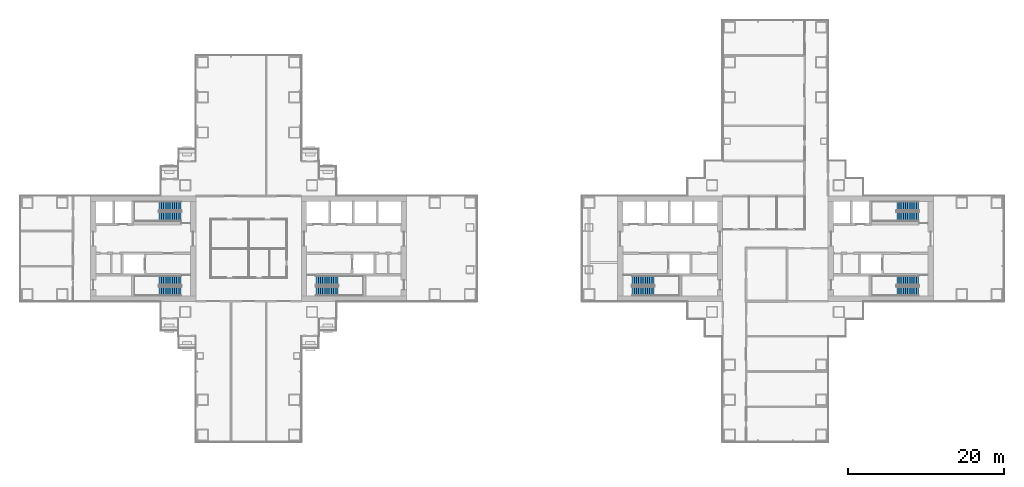
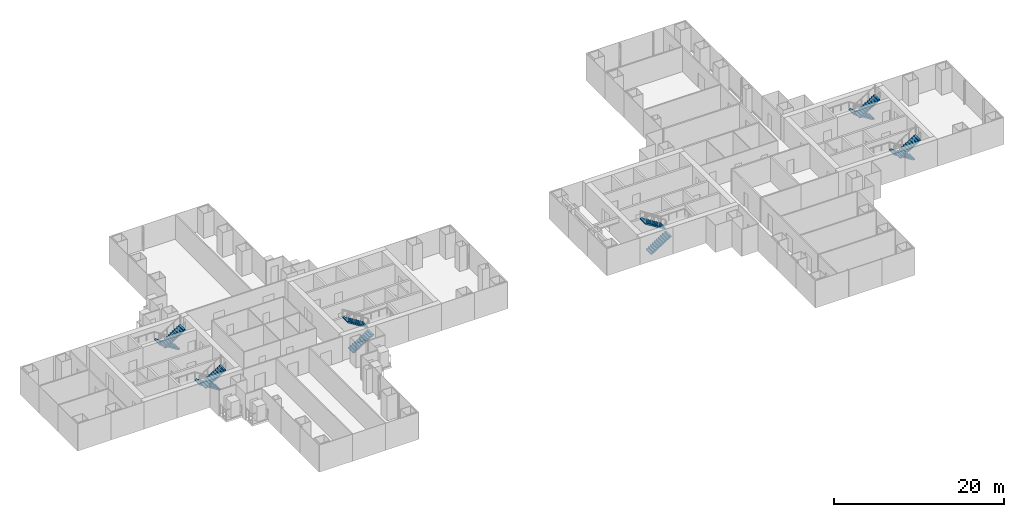
# One storey, part 18 of 21: 12 stair flights, 6 elements without a shape of their own.
"""IFC4 building model written with IfcOpenShell, lengths in metres."""

from ifc_helpers import new_model, si_unit, direction, frame, origin, place, context, subcontext, project, spatial, polyline, outline, extrude, material, type_object, element, aggregate, save


model = new_model("IFC4")

# Units and contexts
model_context = context("Model", 3, precision=1e-05, world=origin(), true_north=direction((0.0, 1.0)))
body_context = subcontext(model_context, "Body", "Model", "MODEL_VIEW")
ifc_project = project(units=[si_unit("LENGTHUNIT", "METRE"), si_unit("AREAUNIT", "SQUARE_METRE"), si_unit("VOLUMEUNIT", "CUBIC_METRE"), si_unit("PLANEANGLEUNIT", "RADIAN"), si_unit("MASSUNIT", "GRAM", prefix="KILO")], contexts=[model_context])

# Site, building, storey
site_placement = place(None, origin())
site = spatial("IfcSite", under=ifc_project, at=site_placement, CompositionType="ELEMENT")
building_placement = place(site_placement, origin())
building = spatial("IfcBuilding", under=site, at=building_placement, Name="Shamsa Quay Exchange Towers", CompositionType="ELEMENT")
storey_placement = place(building_placement, frame((0.0, 0.0, 45.89990234375)))
storey = spatial("IfcBuildingStorey", under=building, at=storey_placement, Name="L09", CompositionType="ELEMENT", Elevation=45.89990234375)

# Stair, stair flights
ifc_material = material(Name="Concrete C40/50", Category="concrete")
stair_type = type_object("IfcStairType", Name="EXIT STAIR 22 RISERS 177 MM", PredefinedType="HALF_TURN_STAIR", material=ifc_material)
stair_1_placement = place(storey_placement, origin())
stair_1 = element("IfcStair", 1, at=stair_1_placement, inside=storey, type_object=stair_type, Name="L09 Exit stair ST1", PredefinedType="HALF_TURN_STAIR")
stair_flight_type = type_object("IfcStairFlightType", Name="EXIT STAIR FLIGHT 11 RISERS 177 MM", PredefinedType="STRAIGHT", material=ifc_material)
stair_flight_1_placement = place(storey_placement, frame((-25.10009765625, -5.449951171875, 0.0)))
stair_flight_1 = element("IfcStairFlight", 2, at=stair_flight_1_placement, type_object=stair_flight_type, Name="ST1 flight 1", NumberOfRisers=11, NumberOfTreads=10, PredefinedType="STRAIGHT", RiserHeight=0.177272727, TreadLength=0.28, context=body_context, shape_type="SweptSolid", body=[
    extrude(outline(polyline([(0.0, 0.0), (0.0, 0.17724609375), (0.280029296875, 0.17724609375), (0.280029296875, 0.3544921875), (0.56005859375, 0.3544921875), (0.56005859375, 0.53173828125), (0.840087890625, 0.53173828125), (0.840087890625, 0.708984375), (1.1201171875, 0.708984375), (1.1201171875, 0.886474609375), (1.39990234375, 0.886474609375), (1.39990234375, 1.063720703125), (1.679931640625, 1.063720703125), (1.679931640625, 1.240966796875), (1.9599609375, 1.240966796875), (1.9599609375, 1.418212890625), (2.239990234375, 1.418212890625), (2.239990234375, 1.595458984375), (2.52001953125, 1.595458984375), (2.52001953125, 1.772705078125), (2.800048828125, 1.772705078125), (2.800048828125, 1.949951171875), (2.800048828125, 1.607177734375), (0.261474609375, 0.0), (0.0, 0.0)])), frame((0.0, 0.60009765625, 0.0), z_axis=(0.0, -1.0, 0.0), x_axis=(1.0, 0.0, 0.0)), (0.0, 0.0, 1.0), 1.199951171875),
])
stair_flight_2_placement = place(storey_placement, frame((-22.300048828125, -4.10009765625, 1.9501953125), z_axis=(0.0, 0.0, 1.0), x_axis=(-1.0, 0.0, 0.0)))
stair_flight_2 = element("IfcStairFlight", 3, at=stair_flight_2_placement, type_object=stair_flight_type, Name="ST1 flight 2", NumberOfRisers=11, NumberOfTreads=10, PredefinedType="STRAIGHT", RiserHeight=0.177272727, TreadLength=0.28, context=body_context, shape_type="SweptSolid", body=[
    extrude(outline(polyline([(0.0, 0.0), (0.0, 0.17724609375), (0.280029296875, 0.17724609375), (0.280029296875, 0.3544921875), (0.56005859375, 0.3544921875), (0.56005859375, 0.53173828125), (0.840087890625, 0.53173828125), (0.840087890625, 0.708984375), (1.1201171875, 0.708984375), (1.1201171875, 0.886474609375), (1.39990234375, 0.886474609375), (1.39990234375, 1.063720703125), (1.679931640625, 1.063720703125), (1.679931640625, 1.240966796875), (1.9599609375, 1.240966796875), (1.9599609375, 1.418212890625), (2.239990234375, 1.418212890625), (2.239990234375, 1.595458984375), (2.52001953125, 1.595458984375), (2.52001953125, 1.772705078125), (2.800048828125, 1.772705078125), (2.800048828125, 1.949951171875), (2.800048828125, 1.607177734375), (0.261474609375, 0.0), (0.0, 0.0)])), frame((0.0, 0.60009765625, 0.0), z_axis=(0.0, -1.0, 0.0), x_axis=(1.0, 0.0, 0.0)), (0.0, 0.0, 1.0), 1.199951171875),
])
aggregate(stair_1, [stair_flight_1, stair_flight_2])

stair_2_placement = place(storey_placement, origin())
stair_2 = element("IfcStair", 4, at=stair_2_placement, inside=storey, type_object=stair_type, Name="L09 Exit stair ST2", PredefinedType="HALF_TURN_STAIR")
stair_flight_3_placement = place(storey_placement, frame((-42.39990234375, -4.10009765625, 0.0), z_axis=(0.0, 0.0, 1.0), x_axis=(-1.0, 0.0, 0.0)))
stair_flight_3 = element("IfcStairFlight", 5, at=stair_flight_3_placement, type_object=stair_flight_type, Name="ST2 flight 1", NumberOfRisers=11, NumberOfTreads=10, PredefinedType="STRAIGHT", RiserHeight=0.177272727, TreadLength=0.28, context=body_context, shape_type="SweptSolid", body=[
    extrude(outline(polyline([(0.0, 0.0), (0.0, 0.17724609375), (0.280029296875, 0.17724609375), (0.280029296875, 0.3544921875), (0.56005859375, 0.3544921875), (0.56005859375, 0.53173828125), (0.840087890625, 0.53173828125), (0.840087890625, 0.708984375), (1.1201171875, 0.708984375), (1.1201171875, 0.886474609375), (1.39990234375, 0.886474609375), (1.39990234375, 1.063720703125), (1.679931640625, 1.063720703125), (1.679931640625, 1.240966796875), (1.9599609375, 1.240966796875), (1.9599609375, 1.418212890625), (2.239990234375, 1.418212890625), (2.239990234375, 1.595458984375), (2.52001953125, 1.595458984375), (2.52001953125, 1.772705078125), (2.800048828125, 1.772705078125), (2.800048828125, 1.949951171875), (2.800048828125, 1.607177734375), (0.261474609375, 0.0), (0.0, 0.0)])), frame((0.0, 0.60009765625, 0.0), z_axis=(0.0, -1.0, 0.0), x_axis=(1.0, 0.0, 0.0)), (0.0, 0.0, 1.0), 1.199951171875),
])
stair_flight_4_placement = place(storey_placement, frame((-45.199951171875, -5.449951171875, 1.9501953125)))
stair_flight_4 = element("IfcStairFlight", 6, at=stair_flight_4_placement, type_object=stair_flight_type, Name="ST2 flight 2", NumberOfRisers=11, NumberOfTreads=10, PredefinedType="STRAIGHT", RiserHeight=0.177272727, TreadLength=0.28, context=body_context, shape_type="SweptSolid", body=[
    extrude(outline(polyline([(0.0, 0.0), (0.0, 0.17724609375), (0.280029296875, 0.17724609375), (0.280029296875, 0.3544921875), (0.56005859375, 0.3544921875), (0.56005859375, 0.53173828125), (0.840087890625, 0.53173828125), (0.840087890625, 0.708984375), (1.1201171875, 0.708984375), (1.1201171875, 0.886474609375), (1.39990234375, 0.886474609375), (1.39990234375, 1.063720703125), (1.679931640625, 1.063720703125), (1.679931640625, 1.240966796875), (1.9599609375, 1.240966796875), (1.9599609375, 1.418212890625), (2.239990234375, 1.418212890625), (2.239990234375, 1.595458984375), (2.52001953125, 1.595458984375), (2.52001953125, 1.772705078125), (2.800048828125, 1.772705078125), (2.800048828125, 1.949951171875), (2.800048828125, 1.607177734375), (0.261474609375, 0.0), (0.0, 0.0)])), frame((0.0, 0.60009765625, 0.0), z_axis=(0.0, -1.0, 0.0), x_axis=(1.0, 0.0, 0.0)), (0.0, 0.0, 1.0), 1.199951171875),
])
aggregate(stair_2, [stair_flight_3, stair_flight_4])

stair_3_placement = place(storey_placement, origin())
stair_3 = element("IfcStair", 7, at=stair_3_placement, inside=storey, type_object=stair_type, Name="L09 Exit stair ST3", PredefinedType="HALF_TURN_STAIR")
stair_flight_5_placement = place(storey_placement, frame((-42.39990234375, 5.449951171875, 0.0), z_axis=(0.0, 0.0, 1.0), x_axis=(-1.0, 0.0, 0.0)))
stair_flight_5 = element("IfcStairFlight", 8, at=stair_flight_5_placement, type_object=stair_flight_type, Name="ST3 flight 1", NumberOfRisers=11, NumberOfTreads=10, PredefinedType="STRAIGHT", RiserHeight=0.177272727, TreadLength=0.28, context=body_context, shape_type="SweptSolid", body=[
    extrude(outline(polyline([(0.0, 0.0), (0.0, 0.17724609375), (0.280029296875, 0.17724609375), (0.280029296875, 0.3544921875), (0.56005859375, 0.3544921875), (0.56005859375, 0.53173828125), (0.840087890625, 0.53173828125), (0.840087890625, 0.708984375), (1.1201171875, 0.708984375), (1.1201171875, 0.886474609375), (1.39990234375, 0.886474609375), (1.39990234375, 1.063720703125), (1.679931640625, 1.063720703125), (1.679931640625, 1.240966796875), (1.9599609375, 1.240966796875), (1.9599609375, 1.418212890625), (2.239990234375, 1.418212890625), (2.239990234375, 1.595458984375), (2.52001953125, 1.595458984375), (2.52001953125, 1.772705078125), (2.800048828125, 1.772705078125), (2.800048828125, 1.949951171875), (2.800048828125, 1.607177734375), (0.261474609375, 0.0), (0.0, 0.0)])), frame((0.0, 0.60009765625, 0.0), z_axis=(0.0, -1.0, 0.0), x_axis=(1.0, 0.0, 0.0)), (0.0, 0.0, 1.0), 1.199951171875),
])
stair_flight_6_placement = place(storey_placement, frame((-45.199951171875, 4.10009765625, 1.9501953125)))
stair_flight_6 = element("IfcStairFlight", 9, at=stair_flight_6_placement, type_object=stair_flight_type, Name="ST3 flight 2", NumberOfRisers=11, NumberOfTreads=10, PredefinedType="STRAIGHT", RiserHeight=0.177272727, TreadLength=0.28, context=body_context, shape_type="SweptSolid", body=[
    extrude(outline(polyline([(0.0, 0.0), (0.0, 0.17724609375), (0.280029296875, 0.17724609375), (0.280029296875, 0.3544921875), (0.56005859375, 0.3544921875), (0.56005859375, 0.53173828125), (0.840087890625, 0.53173828125), (0.840087890625, 0.708984375), (1.1201171875, 0.708984375), (1.1201171875, 0.886474609375), (1.39990234375, 0.886474609375), (1.39990234375, 1.063720703125), (1.679931640625, 1.063720703125), (1.679931640625, 1.240966796875), (1.9599609375, 1.240966796875), (1.9599609375, 1.418212890625), (2.239990234375, 1.418212890625), (2.239990234375, 1.595458984375), (2.52001953125, 1.595458984375), (2.52001953125, 1.772705078125), (2.800048828125, 1.772705078125), (2.800048828125, 1.949951171875), (2.800048828125, 1.607177734375), (0.261474609375, 0.0), (0.0, 0.0)])), frame((0.0, 0.60009765625, 0.0), z_axis=(0.0, -1.0, 0.0), x_axis=(1.0, 0.0, 0.0)), (0.0, 0.0, 1.0), 1.199951171875),
])
aggregate(stair_3, [stair_flight_5, stair_flight_6])

stair_4_placement = place(storey_placement, origin())
stair_4 = element("IfcStair", 10, at=stair_4_placement, inside=storey, type_object=stair_type, Name="L09 Exit stair ST4", PredefinedType="HALF_TURN_STAIR")
stair_flight_7_placement = place(storey_placement, frame((15.39990234375, -5.449951171875, 0.0)))
stair_flight_7 = element("IfcStairFlight", 11, at=stair_flight_7_placement, type_object=stair_flight_type, Name="ST4 flight 1", NumberOfRisers=11, NumberOfTreads=10, PredefinedType="STRAIGHT", RiserHeight=0.177272727, TreadLength=0.28, context=body_context, shape_type="SweptSolid", body=[
    extrude(outline(polyline([(0.0, 0.0), (0.0, 0.17724609375), (0.280029296875, 0.17724609375), (0.280029296875, 0.3544921875), (0.56005859375, 0.3544921875), (0.56005859375, 0.53173828125), (0.840087890625, 0.53173828125), (0.840087890625, 0.708984375), (1.1201171875, 0.708984375), (1.1201171875, 0.886474609375), (1.39990234375, 0.886474609375), (1.39990234375, 1.063720703125), (1.679931640625, 1.063720703125), (1.679931640625, 1.240966796875), (1.9599609375, 1.240966796875), (1.9599609375, 1.418212890625), (2.239990234375, 1.418212890625), (2.239990234375, 1.595458984375), (2.52001953125, 1.595458984375), (2.52001953125, 1.772705078125), (2.800048828125, 1.772705078125), (2.800048828125, 1.949951171875), (2.800048828125, 1.607177734375), (0.261474609375, 0.0), (0.0, 0.0)])), frame((0.0, 0.60009765625, 0.0), z_axis=(0.0, -1.0, 0.0), x_axis=(1.0, 0.0, 0.0)), (0.0, 0.0, 1.0), 1.199951171875),
])
stair_flight_8_placement = place(storey_placement, frame((18.199951171875, -4.10009765625, 1.9501953125), z_axis=(0.0, 0.0, 1.0), x_axis=(-1.0, 0.0, 0.0)))
stair_flight_8 = element("IfcStairFlight", 12, at=stair_flight_8_placement, type_object=stair_flight_type, Name="ST4 flight 2", NumberOfRisers=11, NumberOfTreads=10, PredefinedType="STRAIGHT", RiserHeight=0.177272727, TreadLength=0.28, context=body_context, shape_type="SweptSolid", body=[
    extrude(outline(polyline([(0.0, 0.0), (0.0, 0.17724609375), (0.280029296875, 0.17724609375), (0.280029296875, 0.3544921875), (0.56005859375, 0.3544921875), (0.56005859375, 0.53173828125), (0.840087890625, 0.53173828125), (0.840087890625, 0.708984375), (1.1201171875, 0.708984375), (1.1201171875, 0.886474609375), (1.39990234375, 0.886474609375), (1.39990234375, 1.063720703125), (1.679931640625, 1.063720703125), (1.679931640625, 1.240966796875), (1.9599609375, 1.240966796875), (1.9599609375, 1.418212890625), (2.239990234375, 1.418212890625), (2.239990234375, 1.595458984375), (2.52001953125, 1.595458984375), (2.52001953125, 1.772705078125), (2.800048828125, 1.772705078125), (2.800048828125, 1.949951171875), (2.800048828125, 1.607177734375), (0.261474609375, 0.0), (0.0, 0.0)])), frame((0.0, 0.60009765625, 0.0), z_axis=(0.0, -1.0, 0.0), x_axis=(1.0, 0.0, 0.0)), (0.0, 0.0, 1.0), 1.199951171875),
])
aggregate(stair_4, [stair_flight_7, stair_flight_8])

stair_5_placement = place(storey_placement, origin())
stair_5 = element("IfcStair", 13, at=stair_5_placement, inside=storey, type_object=stair_type, Name="L09 Exit stair ST5", PredefinedType="HALF_TURN_STAIR")
stair_flight_9_placement = place(storey_placement, frame((52.10009765625, -4.10009765625, 0.0), z_axis=(0.0, 0.0, 1.0), x_axis=(-1.0, 0.0, 0.0)))
stair_flight_9 = element("IfcStairFlight", 14, at=stair_flight_9_placement, type_object=stair_flight_type, Name="ST5 flight 1", NumberOfRisers=11, NumberOfTreads=10, PredefinedType="STRAIGHT", RiserHeight=0.177272727, TreadLength=0.28, context=body_context, shape_type="SweptSolid", body=[
    extrude(outline(polyline([(0.0, 0.0), (0.0, 0.17724609375), (0.280029296875, 0.17724609375), (0.280029296875, 0.3544921875), (0.56005859375, 0.3544921875), (0.56005859375, 0.53173828125), (0.840087890625, 0.53173828125), (0.840087890625, 0.708984375), (1.1201171875, 0.708984375), (1.1201171875, 0.886474609375), (1.39990234375, 0.886474609375), (1.39990234375, 1.063720703125), (1.679931640625, 1.063720703125), (1.679931640625, 1.240966796875), (1.9599609375, 1.240966796875), (1.9599609375, 1.418212890625), (2.239990234375, 1.418212890625), (2.239990234375, 1.595458984375), (2.52001953125, 1.595458984375), (2.52001953125, 1.772705078125), (2.800048828125, 1.772705078125), (2.800048828125, 1.949951171875), (2.800048828125, 1.607177734375), (0.261474609375, 0.0), (0.0, 0.0)])), frame((0.0, 0.60009765625, 0.0), z_axis=(0.0, -1.0, 0.0), x_axis=(1.0, 0.0, 0.0)), (0.0, 0.0, 1.0), 1.199951171875),
])
stair_flight_10_placement = place(storey_placement, frame((49.300048828125, -5.449951171875, 1.9501953125)))
stair_flight_10 = element("IfcStairFlight", 15, at=stair_flight_10_placement, type_object=stair_flight_type, Name="ST5 flight 2", NumberOfRisers=11, NumberOfTreads=10, PredefinedType="STRAIGHT", RiserHeight=0.177272727, TreadLength=0.28, context=body_context, shape_type="SweptSolid", body=[
    extrude(outline(polyline([(0.0, 0.0), (0.0, 0.17724609375), (0.280029296875, 0.17724609375), (0.280029296875, 0.3544921875), (0.56005859375, 0.3544921875), (0.56005859375, 0.53173828125), (0.840087890625, 0.53173828125), (0.840087890625, 0.708984375), (1.1201171875, 0.708984375), (1.1201171875, 0.886474609375), (1.39990234375, 0.886474609375), (1.39990234375, 1.063720703125), (1.679931640625, 1.063720703125), (1.679931640625, 1.240966796875), (1.9599609375, 1.240966796875), (1.9599609375, 1.418212890625), (2.239990234375, 1.418212890625), (2.239990234375, 1.595458984375), (2.52001953125, 1.595458984375), (2.52001953125, 1.772705078125), (2.800048828125, 1.772705078125), (2.800048828125, 1.949951171875), (2.800048828125, 1.607177734375), (0.261474609375, 0.0), (0.0, 0.0)])), frame((0.0, 0.60009765625, 0.0), z_axis=(0.0, -1.0, 0.0), x_axis=(1.0, 0.0, 0.0)), (0.0, 0.0, 1.0), 1.199951171875),
])
aggregate(stair_5, [stair_flight_9, stair_flight_10])

stair_6_placement = place(storey_placement, origin())
stair_6 = element("IfcStair", 16, at=stair_6_placement, inside=storey, type_object=stair_type, Name="L09 Exit stair ST6", PredefinedType="HALF_TURN_STAIR")
stair_flight_11_placement = place(storey_placement, frame((52.10009765625, 5.449951171875, 0.0), z_axis=(0.0, 0.0, 1.0), x_axis=(-1.0, 0.0, 0.0)))
stair_flight_11 = element("IfcStairFlight", 17, at=stair_flight_11_placement, type_object=stair_flight_type, Name="ST6 flight 1", NumberOfRisers=11, NumberOfTreads=10, PredefinedType="STRAIGHT", RiserHeight=0.177272727, TreadLength=0.28, context=body_context, shape_type="SweptSolid", body=[
    extrude(outline(polyline([(0.0, 0.0), (0.0, 0.17724609375), (0.280029296875, 0.17724609375), (0.280029296875, 0.3544921875), (0.56005859375, 0.3544921875), (0.56005859375, 0.53173828125), (0.840087890625, 0.53173828125), (0.840087890625, 0.708984375), (1.1201171875, 0.708984375), (1.1201171875, 0.886474609375), (1.39990234375, 0.886474609375), (1.39990234375, 1.063720703125), (1.679931640625, 1.063720703125), (1.679931640625, 1.240966796875), (1.9599609375, 1.240966796875), (1.9599609375, 1.418212890625), (2.239990234375, 1.418212890625), (2.239990234375, 1.595458984375), (2.52001953125, 1.595458984375), (2.52001953125, 1.772705078125), (2.800048828125, 1.772705078125), (2.800048828125, 1.949951171875), (2.800048828125, 1.607177734375), (0.261474609375, 0.0), (0.0, 0.0)])), frame((0.0, 0.60009765625, 0.0), z_axis=(0.0, -1.0, 0.0), x_axis=(1.0, 0.0, 0.0)), (0.0, 0.0, 1.0), 1.199951171875),
])
stair_flight_12_placement = place(storey_placement, frame((49.300048828125, 4.10009765625, 1.9501953125)))
stair_flight_12 = element("IfcStairFlight", 18, at=stair_flight_12_placement, type_object=stair_flight_type, Name="ST6 flight 2", NumberOfRisers=11, NumberOfTreads=10, PredefinedType="STRAIGHT", RiserHeight=0.177272727, TreadLength=0.28, context=body_context, shape_type="SweptSolid", body=[
    extrude(outline(polyline([(0.0, 0.0), (0.0, 0.17724609375), (0.280029296875, 0.17724609375), (0.280029296875, 0.3544921875), (0.56005859375, 0.3544921875), (0.56005859375, 0.53173828125), (0.840087890625, 0.53173828125), (0.840087890625, 0.708984375), (1.1201171875, 0.708984375), (1.1201171875, 0.886474609375), (1.39990234375, 0.886474609375), (1.39990234375, 1.063720703125), (1.679931640625, 1.063720703125), (1.679931640625, 1.240966796875), (1.9599609375, 1.240966796875), (1.9599609375, 1.418212890625), (2.239990234375, 1.418212890625), (2.239990234375, 1.595458984375), (2.52001953125, 1.595458984375), (2.52001953125, 1.772705078125), (2.800048828125, 1.772705078125), (2.800048828125, 1.949951171875), (2.800048828125, 1.607177734375), (0.261474609375, 0.0), (0.0, 0.0)])), frame((0.0, 0.60009765625, 0.0), z_axis=(0.0, -1.0, 0.0), x_axis=(1.0, 0.0, 0.0)), (0.0, 0.0, 1.0), 1.199951171875),
])
aggregate(stair_6, [stair_flight_11, stair_flight_12])

save(model, "model.ifc")
